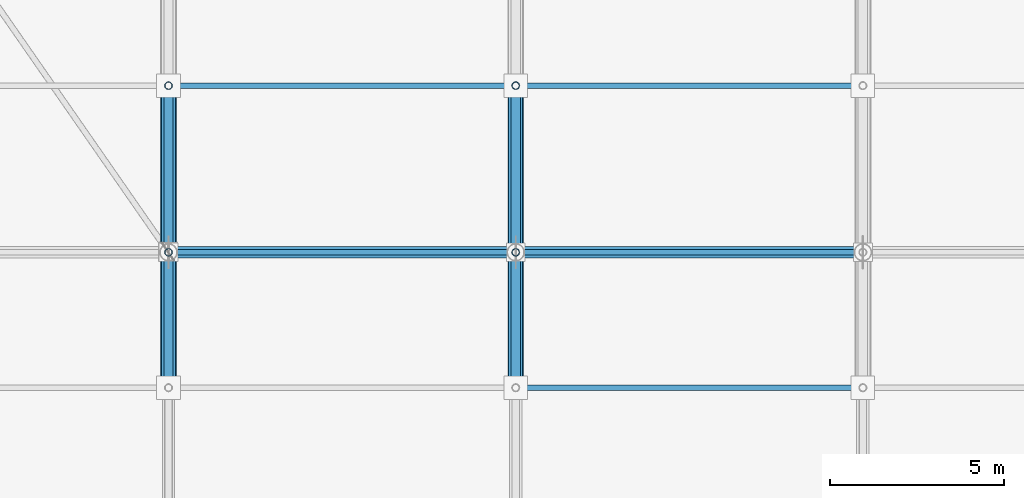
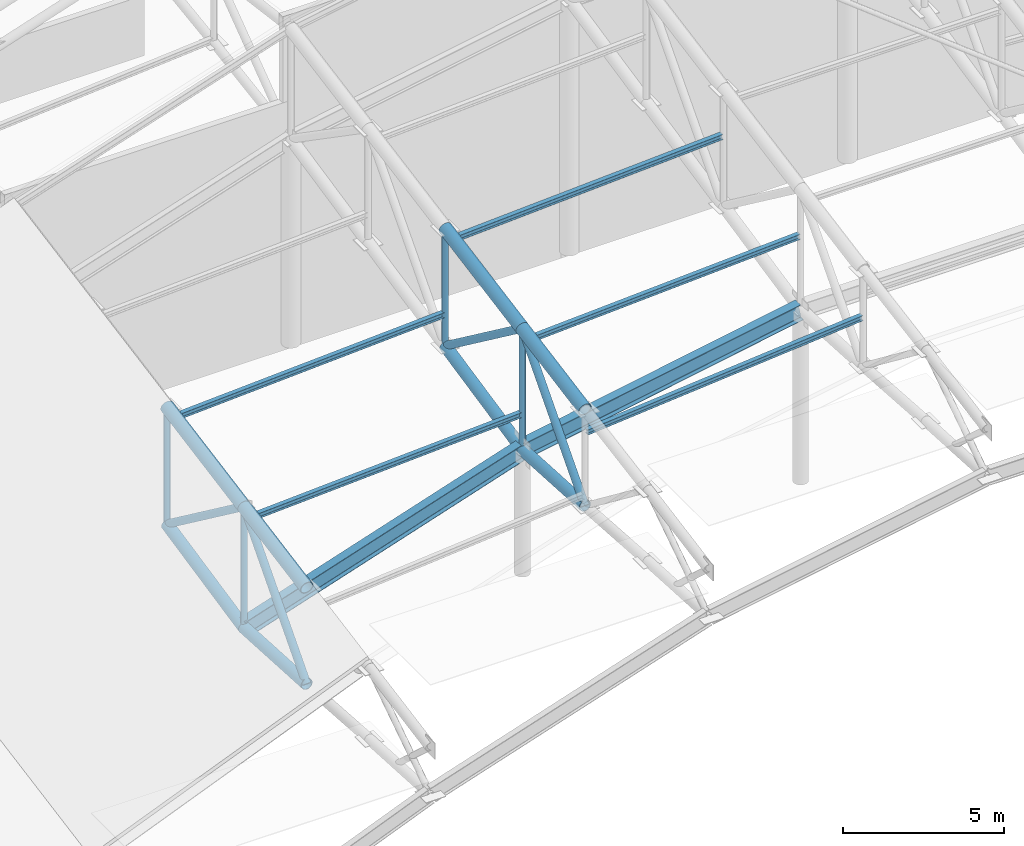
# One storey, part 55 of 146: 21 members, 2 beams.
"""IFC4 building model written with IfcOpenShell, lengths in metres."""

from ifc_helpers import new_model, si_unit, direction, frame, origin, origin_2d, place, context, subcontext, project, spatial, hollow_circle, i_section, extrude, material, material_profile, profile_set, type_object, element, save


model = new_model("IFC4")

# Units and contexts
model_context = context("Model", 3, precision=1e-05, world=origin(), true_north=direction((0.0, 1.0)))
body_context = subcontext(model_context, "Body", "Model", "MODEL_VIEW")
ifc_project = project(units=[si_unit("LENGTHUNIT", "METRE"), si_unit("AREAUNIT", "SQUARE_METRE"), si_unit("VOLUMEUNIT", "CUBIC_METRE"), si_unit("PLANEANGLEUNIT", "RADIAN"), si_unit("MASSUNIT", "GRAM", prefix="KILO")], contexts=[model_context])

# Site, building, storey
site_placement = place(None, origin())
site = spatial("IfcSite", under=ifc_project, at=site_placement, CompositionType="ELEMENT")
building_placement = place(site_placement, origin())
building = spatial("IfcBuilding", under=site, at=building_placement, Name="Candeia Ridge Stadium", CompositionType="ELEMENT")
storey_placement = place(building_placement, frame((0.0, 0.0, 31.800048828125)))
storey = spatial("IfcBuildingStorey", under=building, at=storey_placement, Name="RF", CompositionType="ELEMENT", Elevation=31.800048828125)

# Beams
ifc_material = material(Name="Steel ASTM A572 Grade 50", Category="steel")
ifc_material_profile_1 = material_profile(ifc_material, i_section(OverallWidth=0.324951171875, OverallDepth=0.615966796875, WebThickness=0.013916015625, FlangeThickness=0.021484375, FilletRadius=0.014892578125, at=origin_2d()), Name="W610x174", Category="steel")
ifc_profile_set_1 = profile_set([ifc_material_profile_1], Name="Steel ASTM A572 Grade 50")
beam_type = type_object("IfcBeamType", Name="Roof Compression Ring Beam W610x174", PredefinedType="BEAM", material=ifc_profile_set_1)
beam_1_placement = place(storey_placement, frame((100.960693359375, 132.60009765625, 6.4931640625), z_axis=(-0.983924099588, 0.0, -0.178587139095), x_axis=(0.0, -1.0, 0.0)))
element("IfcBeam", 1, at=beam_1_placement, inside=storey, type_object=beam_type, Name="Roof compression ring beam bay 05", PredefinedType="BEAM", context=body_context, shape_type="SweptSolid", body=[
    extrude(i_section(OverallWidth=0.324951171875, OverallDepth=0.615966796875, WebThickness=0.013916015625, FlangeThickness=0.021484375, FilletRadius=0.014892578125, at=origin_2d()), origin(), (0.0, 0.0, 1.0), 10.08349609375),
])
beam_2_placement = place(storey_placement, frame((90.9619140625, 132.60009765625, 4.672607421875), z_axis=(-0.950459193957, 0.0, -0.310849353583), x_axis=(0.0, -1.0, 0.0)))
element("IfcBeam", 2, at=beam_2_placement, inside=storey, type_object=beam_type, Name="Roof compression ring beam bay 06", PredefinedType="BEAM", context=body_context, shape_type="SweptSolid", body=[
    extrude(i_section(OverallWidth=0.324951171875, OverallDepth=0.615966796875, WebThickness=0.013916015625, FlangeThickness=0.021484375, FilletRadius=0.014892578125, at=origin_2d()), origin(), (0.0, 0.0, 1.0), 10.441162109375),
])

# Members
ifc_material_profile_2 = material_profile(ifc_material, i_section(OverallWidth=0.1650390625, OverallDepth=0.200927734375, WebThickness=0.006103515625, FlangeThickness=0.01025390625, FilletRadius=0.010009765625, at=origin_2d()), Name="W200x35.9", Category="steel")
ifc_profile_set_2 = profile_set([ifc_material_profile_2], Name="Steel ASTM A572 Grade 50")
member_type_1 = type_object("IfcMemberType", Name="Roof Purlin W200x35.9", PredefinedType="PURLIN", material=ifc_profile_set_2)
member_1_placement = place(storey_placement, frame((100.9501953125, 128.699951171875, 8.59912109375), z_axis=(-0.995975929729, 0.0, -0.08962113256), x_axis=(0.0, -1.0, 0.0)))
element("IfcMember", 3, at=member_1_placement, inside=storey, type_object=member_type_1, Name="Saddle roof steel purlin bay 05-1", PredefinedType="PURLIN", context=body_context, shape_type="SweptSolid", body=[
    extrude(i_section(OverallWidth=0.1650390625, OverallDepth=0.200927734375, WebThickness=0.006103515625, FlangeThickness=0.01025390625, FilletRadius=0.010009765625, at=origin_2d()), origin(), (0.0, 0.0, 1.0), 9.9404296875),
])
member_2_placement = place(storey_placement, frame((100.9501953125, 132.60009765625, 9.322265625), z_axis=(-0.998436931594, 0.0, -0.055890013679), x_axis=(0.0, -1.0, 0.0)))
element("IfcMember", 4, at=member_2_placement, inside=storey, type_object=member_type_1, Name="Saddle roof steel purlin bay 05-2", PredefinedType="PURLIN", context=body_context, shape_type="SweptSolid", body=[
    extrude(i_section(OverallWidth=0.1650390625, OverallDepth=0.200927734375, WebThickness=0.006103515625, FlangeThickness=0.01025390625, FilletRadius=0.010009765625, at=origin_2d()), origin(), (0.0, 0.0, 1.0), 9.915771484375),
])
for number, where, z_axis, x_axis, name in (
    (5, (100.9501953125, 137.39990234375, 10.21044921875), (-0.998435557369, 0.0, -0.055914557871), (0.0, -1.0, 0.0), "Saddle roof steel purlin bay 05-3"),
    (6, (90.9501953125, 132.60009765625, 6.0517578125), (-0.998435557369, 0.0, -0.055914557871), (0.0, -1.0, 0.0), "Saddle roof steel purlin bay 06-2"),
    (7, (90.9501953125, 137.39990234375, 6.939697265625), (-0.998435557369, 0.0, -0.055914557871), (0.0, -1.0, 0.0), "Saddle roof steel purlin bay 06-3"),
):
    element("IfcMember", number, at=place(storey_placement, frame(where, z_axis=z_axis, x_axis=x_axis)), inside=storey, type_object=member_type_1, Name=name, PredefinedType="PURLIN", context=body_context, shape_type="SweptSolid", body=[
        extrude(i_section(OverallWidth=0.1650390625, OverallDepth=0.200927734375, WebThickness=0.006103515625, FlangeThickness=0.01025390625, FilletRadius=0.010009765625, at=origin_2d()), origin(), (0.0, 0.0, 1.0), 9.916015625),
    ])
ifc_material_profile_3 = material_profile(ifc_material, hollow_circle(Radius=0.136474609375, WallThickness=0.010009765625, at=origin_2d()), Name="CHS273x10", Category="steel")
ifc_profile_set_3 = profile_set([ifc_material_profile_3], Name="Steel ASTM A572 Grade 50")
member_type_2 = type_object("IfcMemberType", Name="Roof Truss Heavy Web Brace CHS273x10", PredefinedType="BRACE", material=ifc_profile_set_3)
member_3_placement = place(storey_placement, frame((91.0, 128.699951171875, 4.905029296875), z_axis=(0.0, 0.665001791652, 0.746841761754), x_axis=(-1.0, 0.0, 0.0)))
element("IfcMember", 8, at=member_3_placement, inside=storey, type_object=member_type_2, Name="Roof cantilever truss RT-06 diagonal web 3", PredefinedType="BRACE", context=body_context, shape_type="SweptSolid", body=[
    extrude(hollow_circle(Radius=0.136474609375, WallThickness=0.010009765625, at=origin_2d()), origin(), (0.0, 0.0, 1.0), 5.86474609375),
])
member_4_placement = place(storey_placement, frame((91.0, 132.60009765625, 9.28515625), z_axis=(0.0, 0.801699676117, -0.597727052519), x_axis=(-1.0, 0.0, 0.0)))
element("IfcMember", 9, at=member_4_placement, inside=storey, type_object=member_type_2, Name="Roof cantilever truss RT-06 diagonal web 4", PredefinedType="BRACE", context=body_context, shape_type="SweptSolid", body=[
    extrude(hollow_circle(Radius=0.136474609375, WallThickness=0.010009765625, at=origin_2d()), origin(), (0.0, 0.0, 1.0), 5.987060546875),
])
member_5_placement = place(storey_placement, frame((81.0, 128.699951171875, 1.63427734375), z_axis=(0.0, 0.665001791652, 0.746841761754), x_axis=(-1.0, 0.0, 0.0)))
element("IfcMember", 10, at=member_5_placement, inside=storey, type_object=member_type_2, Name="Roof cantilever truss RT-07 diagonal web 3", PredefinedType="BRACE", context=body_context, shape_type="SweptSolid", body=[
    extrude(hollow_circle(Radius=0.136474609375, WallThickness=0.010009765625, at=origin_2d()), origin(), (0.0, 0.0, 1.0), 5.86474609375),
])
member_6_placement = place(storey_placement, frame((81.0, 132.60009765625, 6.014404296875), z_axis=(0.0, 0.801699676117, -0.597727052519), x_axis=(-1.0, 0.0, 0.0)))
element("IfcMember", 11, at=member_6_placement, inside=storey, type_object=member_type_2, Name="Roof cantilever truss RT-07 diagonal web 4", PredefinedType="BRACE", context=body_context, shape_type="SweptSolid", body=[
    extrude(hollow_circle(Radius=0.136474609375, WallThickness=0.010009765625, at=origin_2d()), origin(), (0.0, 0.0, 1.0), 5.987060546875),
])
ifc_material_profile_4 = material_profile(ifc_material, hollow_circle(Radius=0.109619140625, WallThickness=0.010009765625, at=origin_2d()), Name="CHS219x10", Category="steel")
ifc_profile_set_4 = profile_set([ifc_material_profile_4], Name="Steel ASTM A572 Grade 50")
member_type_3 = type_object("IfcMemberType", Name="Roof Truss Inner Web Brace CHS219x10", PredefinedType="BRACE", material=ifc_profile_set_4)
member_7_placement = place(storey_placement, frame((91.0, 132.60009765625, 4.68505859375), z_axis=(0.0, 0.0, 1.0), x_axis=(1.0, 0.0, 0.0)))
element("IfcMember", 12, at=member_7_placement, inside=storey, type_object=member_type_3, Name="Roof cantilever truss RT-06 vertical post 3", PredefinedType="BRACE", context=body_context, shape_type="SweptSolid", body=[
    extrude(hollow_circle(Radius=0.109619140625, WallThickness=0.010009765625, at=origin_2d()), origin(), (0.0, 0.0, 1.0), 4.60009765625),
])
member_8_placement = place(storey_placement, frame((91.0, 137.39990234375, 5.70654296875), z_axis=(0.0, 0.0, 1.0), x_axis=(1.0, 0.0, 0.0)))
element("IfcMember", 13, at=member_8_placement, inside=storey, type_object=member_type_3, Name="Roof cantilever truss RT-06 vertical post 4", PredefinedType="BRACE", context=body_context, shape_type="SweptSolid", body=[
    extrude(hollow_circle(Radius=0.109619140625, WallThickness=0.010009765625, at=origin_2d()), origin(), (0.0, 0.0, 1.0), 4.466552734375),
])
member_9_placement = place(storey_placement, frame((81.0, 132.60009765625, 1.41455078125), z_axis=(0.0, 0.0, 1.0), x_axis=(1.0, 0.0, 0.0)))
element("IfcMember", 14, at=member_9_placement, inside=storey, type_object=member_type_3, Name="Roof cantilever truss RT-07 vertical post 3", PredefinedType="BRACE", context=body_context, shape_type="SweptSolid", body=[
    extrude(hollow_circle(Radius=0.109619140625, WallThickness=0.010009765625, at=origin_2d()), origin(), (0.0, 0.0, 1.0), 4.599853515625),
])
member_10_placement = place(storey_placement, frame((81.0, 137.39990234375, 2.435791015625), z_axis=(0.0, 0.0, 1.0), x_axis=(1.0, 0.0, 0.0)))
element("IfcMember", 15, at=member_10_placement, inside=storey, type_object=member_type_3, Name="Roof cantilever truss RT-07 vertical post 4", PredefinedType="BRACE", context=body_context, shape_type="SweptSolid", body=[
    extrude(hollow_circle(Radius=0.109619140625, WallThickness=0.010009765625, at=origin_2d()), origin(), (0.0, 0.0, 1.0), 4.466552734375),
])
ifc_material_profile_5 = material_profile(ifc_material, hollow_circle(Radius=0.228515625, WallThickness=0.02001953125, at=origin_2d()), Name="CHS457x20", Category="steel")
ifc_profile_set_5 = profile_set([ifc_material_profile_5], Name="Steel ASTM A572 Grade 50")
member_type_4 = type_object("IfcMemberType", Name="Roof Truss Main Chord CHS457x20", PredefinedType="CHORD", material=ifc_profile_set_5)
member_11_placement = place(storey_placement, frame((91.0, 128.699951171875, 8.563720703125), z_axis=(0.0, 0.983318721205, 0.181890880824), x_axis=(-1.0, 0.0, 0.0)))
element("IfcMember", 16, at=member_11_placement, inside=storey, type_object=member_type_4, Name="Roof cantilever truss RT-06 top chord 3", PredefinedType="CHORD", context=body_context, shape_type="SweptSolid", body=[
    extrude(hollow_circle(Radius=0.228515625, WallThickness=0.02001953125, at=origin_2d()), origin(), (0.0, 0.0, 1.0), 3.96630859375),
])
member_12_placement = place(storey_placement, frame((91.0, 132.60009765625, 9.28515625), z_axis=(0.0, 0.983315487156, 0.181908363519), x_axis=(-1.0, 0.0, 0.0)))
element("IfcMember", 17, at=member_12_placement, inside=storey, type_object=member_type_4, Name="Roof cantilever truss RT-06 top chord 4", PredefinedType="CHORD", context=body_context, shape_type="SweptSolid", body=[
    extrude(hollow_circle(Radius=0.228515625, WallThickness=0.02001953125, at=origin_2d()), origin(), (0.0, 0.0, 1.0), 4.88134765625),
])
member_13_placement = place(storey_placement, frame((81.0, 128.699951171875, 5.29296875), z_axis=(0.0, 0.983318721205, 0.181890880824), x_axis=(-1.0, 0.0, 0.0)))
element("IfcMember", 18, at=member_13_placement, inside=storey, type_object=member_type_4, Name="Roof cantilever truss RT-07 top chord 3", PredefinedType="CHORD", context=body_context, shape_type="SweptSolid", body=[
    extrude(hollow_circle(Radius=0.228515625, WallThickness=0.02001953125, at=origin_2d()), origin(), (0.0, 0.0, 1.0), 3.96630859375),
])
member_14_placement = place(storey_placement, frame((81.0, 132.60009765625, 6.014404296875), z_axis=(0.0, 0.983315487156, 0.181908363519), x_axis=(-1.0, 0.0, 0.0)))
element("IfcMember", 19, at=member_14_placement, inside=storey, type_object=member_type_4, Name="Roof cantilever truss RT-07 top chord 4", PredefinedType="CHORD", context=body_context, shape_type="SweptSolid", body=[
    extrude(hollow_circle(Radius=0.228515625, WallThickness=0.02001953125, at=origin_2d()), origin(), (0.0, 0.0, 1.0), 4.88134765625),
])
ifc_material_profile_6 = material_profile(ifc_material, hollow_circle(Radius=0.202880859375, WallThickness=0.01611328125, at=origin_2d()), Name="CHS406x16", Category="steel")
ifc_profile_set_6 = profile_set([ifc_material_profile_6], Name="Steel ASTM A572 Grade 50")
member_type_5 = type_object("IfcMemberType", Name="Roof Truss Outer Chord CHS406x16", PredefinedType="CHORD", material=ifc_profile_set_6)
member_15_placement = place(storey_placement, frame((91.0, 128.699951171875, 4.905029296875), z_axis=(0.0, 0.998413269272, -0.056311133372), x_axis=(-1.0, 0.0, 0.0)))
element("IfcMember", 20, at=member_15_placement, inside=storey, type_object=member_type_5, Name="Roof cantilever truss RT-06 bottom chord 3", PredefinedType="CHORD", context=body_context, shape_type="SweptSolid", body=[
    extrude(hollow_circle(Radius=0.202880859375, WallThickness=0.01611328125, at=origin_2d()), origin(), (0.0, 0.0, 1.0), 3.90625),
])
member_16_placement = place(storey_placement, frame((91.0, 132.60009765625, 4.68505859375), z_axis=(0.0, 0.978095585526, 0.208156252789), x_axis=(-1.0, 0.0, 0.0)))
element("IfcMember", 21, at=member_16_placement, inside=storey, type_object=member_type_5, Name="Roof cantilever truss RT-06 bottom chord 4", PredefinedType="CHORD", context=body_context, shape_type="SweptSolid", body=[
    extrude(hollow_circle(Radius=0.202880859375, WallThickness=0.01611328125, at=origin_2d()), origin(), (0.0, 0.0, 1.0), 4.9072265625),
])
member_17_placement = place(storey_placement, frame((81.0, 128.699951171875, 1.63427734375), z_axis=(0.0, 0.998416781117, -0.056248832739), x_axis=(-1.0, 0.0, 0.0)))
element("IfcMember", 22, at=member_17_placement, inside=storey, type_object=member_type_5, Name="Roof cantilever truss RT-07 bottom chord 3", PredefinedType="CHORD", context=body_context, shape_type="SweptSolid", body=[
    extrude(hollow_circle(Radius=0.202880859375, WallThickness=0.01611328125, at=origin_2d()), origin(), (0.0, 0.0, 1.0), 3.90625),
])
member_18_placement = place(storey_placement, frame((81.0, 132.60009765625, 1.41455078125), z_axis=(0.0, 0.978105713519, 0.208108657154), x_axis=(-1.0, 0.0, 0.0)))
element("IfcMember", 23, at=member_18_placement, inside=storey, type_object=member_type_5, Name="Roof cantilever truss RT-07 bottom chord 4", PredefinedType="CHORD", context=body_context, shape_type="SweptSolid", body=[
    extrude(hollow_circle(Radius=0.202880859375, WallThickness=0.01611328125, at=origin_2d()), origin(), (0.0, 0.0, 1.0), 4.9072265625),
])

save(model, "model.ifc")
